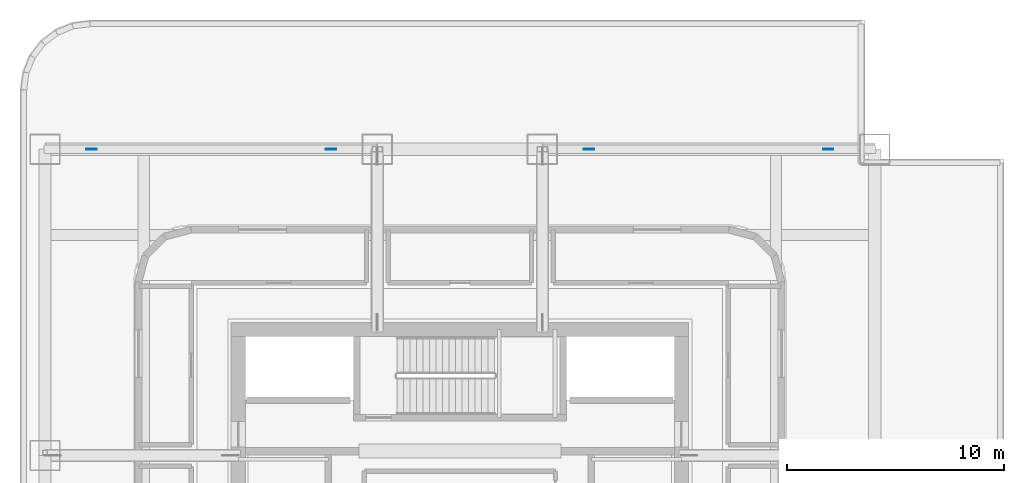
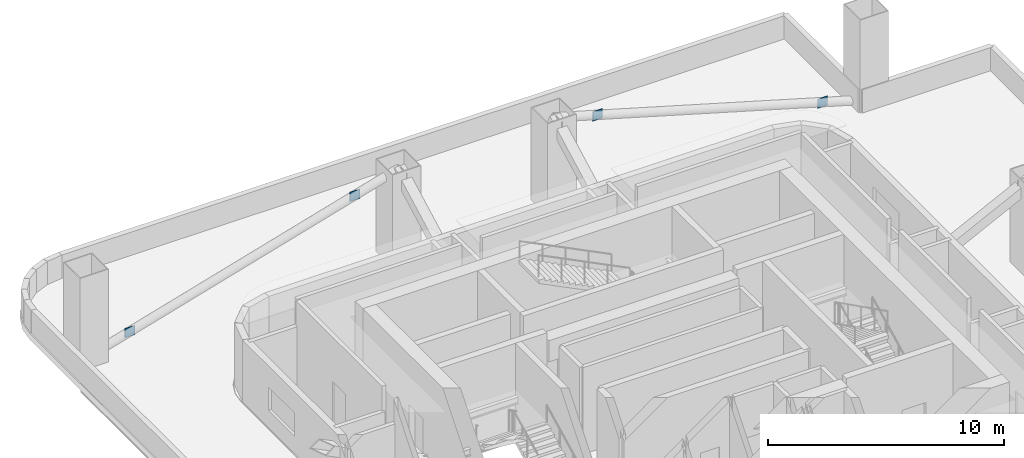
# One storey, part 4 of 10: 4 plates.
"""IFC4 building model written with IfcOpenShell, lengths in metres."""

from ifc_helpers import new_model, si_unit, direction, frame, origin, origin_2d, place, context, subcontext, project, spatial, rectangle, extrude, material, layer, layer_set, type_object, element, save


model = new_model("IFC4")

# Units and contexts
model_context = context("Model", 3, precision=1e-05, world=origin(), true_north=direction((0.0, 1.0)))
body_context = subcontext(model_context, "Body", "Model", "MODEL_VIEW")
ifc_project = project(units=[si_unit("LENGTHUNIT", "METRE"), si_unit("AREAUNIT", "SQUARE_METRE"), si_unit("VOLUMEUNIT", "CUBIC_METRE"), si_unit("PLANEANGLEUNIT", "RADIAN"), si_unit("MASSUNIT", "GRAM", prefix="KILO")], contexts=[model_context])

# Site, building, storey
site_placement = place(None, origin())
site = spatial("IfcSite", under=ifc_project, at=site_placement, CompositionType="ELEMENT")
building_placement = place(site_placement, origin())
building = spatial("IfcBuilding", under=site, at=building_placement, Name="Punatoya Terracotta Tower", CompositionType="ELEMENT")
storey_placement = place(building_placement, frame((0.0, 0.0, 125.39990234375)))
storey = spatial("IfcBuildingStorey", under=building, at=storey_placement, Name="L29", CompositionType="ELEMENT", Elevation=125.39990234375)

# Plates
ifc_material = material(Name="Steel S460", Category="steel")
ifc_layer = layer(ifc_material, 0.031982421875)
ifc_layer_set = layer_set([ifc_layer], Name="Steel S460")
plate_type = type_object("IfcPlateType", Name="PLT-END-32", PredefinedType="USERDEFINED", material=ifc_layer_set)
for number, where, z_axis, x_axis, name in (
    (1, (-16.9580078125, 17.5, 0.401611328125), (0.0, 0.0, 1.0), (1.0, 0.0, 0.0), "L29 Ring Strut NST-3 End Plate 1"),
    (2, (-5.94189453125, 17.5, 3.598388671875), (0.0, 0.0, 1.0), (1.0, 0.0, 0.0), "L29 Ring Strut NST-3 End Plate 2"),
    (3, (5.94189453125, 17.5, 3.598388671875), (0.0, 0.0, 1.0), (1.0, 0.0, 0.0), "L29 Ring Strut NST-4 End Plate 1"),
    (4, (16.9580078125, 17.5, 0.401611328125), (0.0, 0.0, 1.0), (1.0, 0.0, 0.0), "L29 Ring Strut NST-4 End Plate 2"),
):
    element("IfcPlate", number, at=place(storey_placement, frame(where, z_axis=z_axis, x_axis=x_axis)), inside=storey, type_object=plate_type, Name=name, ObjectType="FLANGE_PLATE", PredefinedType="USERDEFINED", context=body_context, shape_type="SweptSolid", body=[
        extrude(rectangle(XDim=0.47998046875, YDim=0.031982421875, at=origin_2d()), origin(), (0.0, 0.0, 1.0), 0.47998046875),
    ])

save(model, "model.ifc")
